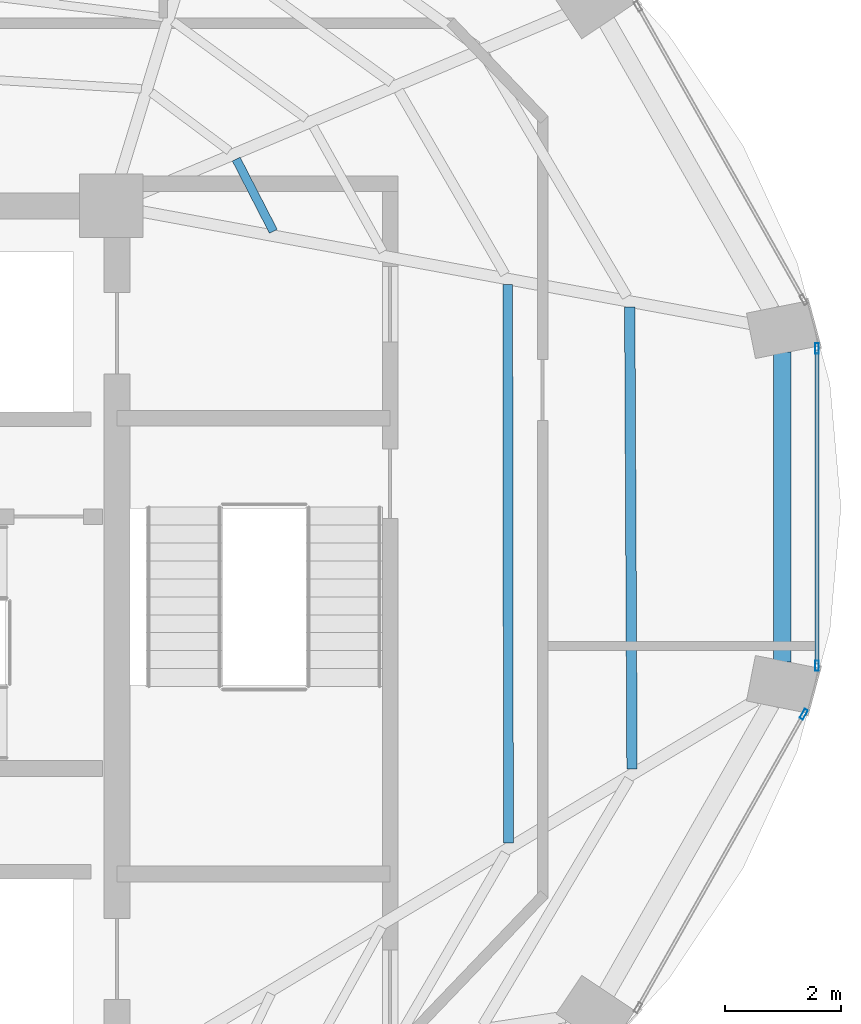
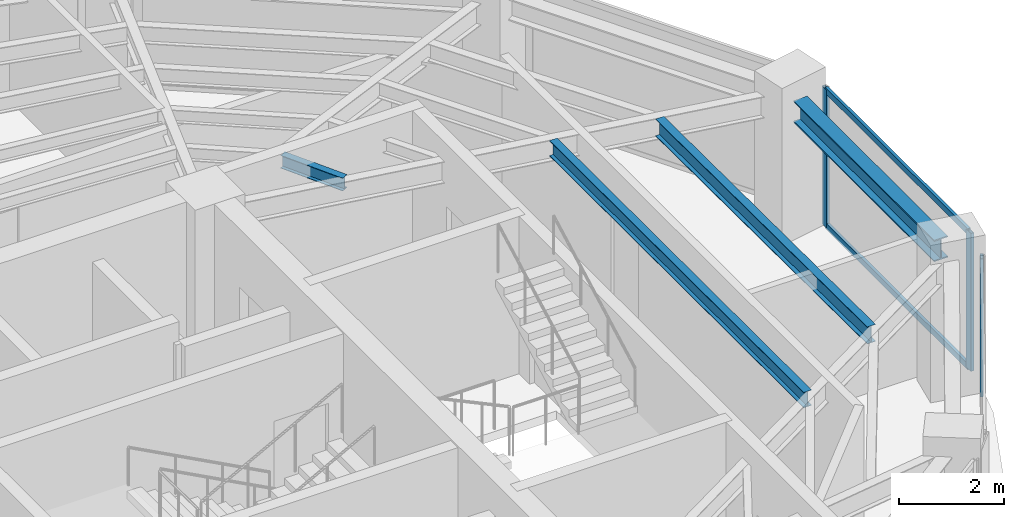
# One storey, part 14 of 22: 5 members, 4 beams, 2 elements without a shape of their own.
"""IFC4 building model written with IfcOpenShell, lengths in metres."""

from ifc_helpers import new_model, si_unit, direction, frame, origin, origin_2d, place, context, subcontext, project, spatial, hollow_rectangle, i_section, extrude, material, layer, layer_set, material_profile, profile_set, type_object, element, aggregate, save


model = new_model("IFC4")

# Units and contexts
model_context = context("Model", 3, precision=1e-05, world=origin(), true_north=direction((0.0, 1.0)))
body_context = subcontext(model_context, "Body", "Model", "MODEL_VIEW")
ifc_project = project(units=[si_unit("LENGTHUNIT", "METRE"), si_unit("AREAUNIT", "SQUARE_METRE"), si_unit("VOLUMEUNIT", "CUBIC_METRE"), si_unit("PLANEANGLEUNIT", "RADIAN"), si_unit("MASSUNIT", "GRAM", prefix="KILO")], contexts=[model_context])

# Site, building, storey
site_placement = place(None, origin())
site = spatial("IfcSite", under=ifc_project, at=site_placement, CompositionType="ELEMENT")
building_placement = place(site_placement, origin())
building = spatial("IfcBuilding", under=site, at=building_placement, Name="Lazwardi Medical Tower", CompositionType="ELEMENT")
storey_placement = place(building_placement, frame((0.0, 0.0, 242.256103515625)))
storey = spatial("IfcBuildingStorey", under=building, at=storey_placement, Name="L63", CompositionType="ELEMENT", Elevation=242.256103515625)

# Beams
ifc_material_1 = material(Name="Steel S355", Category="steel")
ifc_material_profile_1 = material_profile(ifc_material_1, i_section(OverallWidth=0.300048828125, OverallDepth=0.5, WebThickness=0.014404296875, FlangeThickness=0.028076171875, at=origin_2d()), Name="HEB 500")
ifc_profile_set_1 = profile_set([ifc_material_profile_1], Name="Steel S355")
beam_type_1 = type_object("IfcBeamType", Name="BM-RB-Z4", PredefinedType="BEAM", material=ifc_profile_set_1)
beam_1_placement = place(storey_placement, frame((57.18505859375, 27.72705078125, 2.947998046875), z_axis=(0.0, 1.0, 0.0), x_axis=(-1.0, 0.0, 0.0)))
element("IfcBeam", 1, at=beam_1_placement, inside=storey, type_object=beam_type_1, Name="Ring beam RB-05 B04 L63", PredefinedType="BEAM", context=body_context, shape_type="SweptSolid", body=[
    extrude(i_section(OverallWidth=0.300048828125, OverallDepth=0.5, WebThickness=0.014404296875, FlangeThickness=0.028076171875, at=origin_2d()), origin(), (0.0, 0.0, 1.0), 5.345947265625),
])
ifc_material_profile_2 = material_profile(ifc_material_1, i_section(OverallWidth=0.179931640625, OverallDepth=0.39990234375, WebThickness=0.008544921875, FlangeThickness=0.013427734375, at=origin_2d()), Name="IPE 400")
ifc_profile_set_2 = profile_set([ifc_material_profile_2], Name="Steel S355")
beam_type_2 = type_object("IfcBeamType", Name="BM-SJ-01", PredefinedType="JOIST", material=ifc_profile_set_2)
beam_2_placement = place(storey_placement, frame((54.592041015625, 25.879638671875, 2.997802734375), z_axis=(-0.004929366644, 0.999987850598, 0.0), x_axis=(-0.999987850598, -0.004929366644, 0.0)))
element("IfcBeam", 2, at=beam_2_placement, inside=storey, type_object=beam_type_2, Name="Secondary joist SJ-01 R1 B04 L63", PredefinedType="JOIST", context=body_context, shape_type="SweptSolid", body=[
    extrude(i_section(OverallWidth=0.179931640625, OverallDepth=0.39990234375, WebThickness=0.008544921875, FlangeThickness=0.013427734375, at=origin_2d()), origin(), (0.0, 0.0, 1.0), 7.973876953125),
])
ifc_material_profile_3 = material_profile(ifc_material_1, i_section(OverallWidth=0.169921875, OverallDepth=0.360107421875, WebThickness=0.008056640625, FlangeThickness=0.0126953125, at=origin_2d()), Name="IPE 360")
ifc_profile_set_3 = profile_set([ifc_material_profile_3], Name="Steel S355")
beam_type_3 = type_object("IfcBeamType", Name="BM-SJ-02", PredefinedType="JOIST", material=ifc_profile_set_3)
beam_3_placement = place(storey_placement, frame((52.458984375, 24.602294921875, 3.017822265625), z_axis=(-0.001367606673, 0.999999064826, 0.0), x_axis=(-0.999999064826, -0.001367606673, 0.0)))
element("IfcBeam", 3, at=beam_3_placement, inside=storey, type_object=beam_type_3, Name="Secondary joist SJ-02 R2 B04 L63", PredefinedType="JOIST", context=body_context, shape_type="SweptSolid", body=[
    extrude(i_section(OverallWidth=0.169921875, OverallDepth=0.360107421875, WebThickness=0.008056640625, FlangeThickness=0.0126953125, at=origin_2d()), origin(), (0.0, 0.0, 1.0), 9.639892578125),
])
ifc_material_profile_4 = material_profile(ifc_material_1, i_section(OverallWidth=0.14990234375, OverallDepth=0.300048828125, WebThickness=0.007080078125, FlangeThickness=0.0107421875, at=origin_2d()), Name="IPE 300")
ifc_profile_set_4 = profile_set([ifc_material_profile_4], Name="Steel S355")
beam_type_4 = type_object("IfcBeamType", Name="BM-SJ-03", PredefinedType="JOIST", material=ifc_profile_set_4)
beam_4_placement = place(storey_placement, frame((48.39990234375, 35.159912109375, 3.0478515625), z_axis=(-0.457285056668, 0.889320176848, 0.0), x_axis=(-0.889320176848, -0.457285056668, 0.0)))
element("IfcBeam", 4, at=beam_4_placement, inside=storey, type_object=beam_type_4, Name="Secondary joist SJ-03 R4 B05 L63", PredefinedType="JOIST", context=body_context, shape_type="SweptSolid", body=[
    extrude(i_section(OverallWidth=0.14990234375, OverallDepth=0.300048828125, WebThickness=0.007080078125, FlangeThickness=0.0107421875, at=origin_2d()), origin(), (0.0, 0.0, 1.0), 1.402099609375),
])

# Curtain wall, member
ifc_material_2 = material(Name="Anodised bronze aluminium and solar control glazing", Category="aluminium")
ifc_layer = layer(ifc_material_2, 0.18994140625)
ifc_layer_set = layer_set([ifc_layer], Name="Anodised bronze aluminium and solar control glazing")
curtain_wall_type = type_object("IfcCurtainWallType", Name="CW-SYS-04", PredefinedType="NOTDEFINED", material=ifc_layer_set)
curtain_wall_1_placement = place(storey_placement, origin())
curtain_wall_1 = element("IfcCurtainWall", 5, at=curtain_wall_1_placement, inside=storey, type_object=curtain_wall_type, Name="L63 Unitised bronze curtain wall CW-04", PredefinedType="NOTDEFINED")
ifc_material_3 = material(Name="Anodised bronze aluminium", Category="aluminium")
ifc_material_profile_5 = material_profile(ifc_material_3, hollow_rectangle(XDim=0.06494140625, YDim=0.179931640625, WallThickness=0.00390625, at=origin_2d()), Name="ALU-MULLION 180x65x4")
ifc_profile_set_5 = profile_set([ifc_material_profile_5], Name="Anodised bronze aluminium")
member_type_1 = type_object("IfcMemberType", Name="CW-MUL-03", PredefinedType="MULLION", material=ifc_profile_set_5)
member_1_placement = place(storey_placement, frame((57.557373046875, 26.82177734375, 0.0), z_axis=(0.0, 0.0, 1.0), x_axis=(-0.870651436011, 0.491900474661, 0.0)))
member_1 = element("IfcMember", 6, at=member_1_placement, type_object=member_type_1, Name="CW-04 mullion 2", PredefinedType="MULLION", context=body_context, shape_type="SweptSolid", body=[
    extrude(hollow_rectangle(XDim=0.06494140625, YDim=0.179931640625, WallThickness=0.00390625, at=origin_2d()), origin(), (0.0, 0.0, 1.0), 3.197998046875),
])
aggregate(curtain_wall_1, [member_1])

# Curtain wall, members
curtain_wall_2_placement = place(storey_placement, origin())
curtain_wall_2 = element("IfcCurtainWall", 7, at=curtain_wall_2_placement, inside=storey, type_object=curtain_wall_type, Name="L63 Unitised bronze curtain wall CW-04", PredefinedType="NOTDEFINED")
member_2_placement = place(storey_placement, frame((57.7841796875, 27.659423828125, 0.0), z_axis=(0.0, 0.0, 1.0), x_axis=(-1.0, 0.0, 0.0)))
member_2 = element("IfcMember", 8, at=member_2_placement, type_object=member_type_1, Name="CW-04 mullion 1", PredefinedType="MULLION", context=body_context, shape_type="SweptSolid", body=[
    extrude(hollow_rectangle(XDim=0.06494140625, YDim=0.179931640625, WallThickness=0.00390625, at=origin_2d()), origin(), (0.0, 0.0, 1.0), 3.197998046875),
])
member_3_placement = place(storey_placement, frame((57.7841796875, 33.140380859375, 0.0), z_axis=(0.0, 0.0, 1.0), x_axis=(-1.0, 0.0, 0.0)))
member_3 = element("IfcMember", 9, at=member_3_placement, type_object=member_type_1, Name="CW-04 mullion 2", PredefinedType="MULLION", context=body_context, shape_type="SweptSolid", body=[
    extrude(hollow_rectangle(XDim=0.06494140625, YDim=0.179931640625, WallThickness=0.00390625, at=origin_2d()), origin(), (0.0, 0.0, 1.0), 3.197998046875),
])
ifc_material_profile_6 = material_profile(ifc_material_3, hollow_rectangle(XDim=0.06494140625, YDim=0.139892578125, WallThickness=0.00341796875, at=origin_2d()), Name="ALU-TRANSOM 140x65x3.5")
ifc_profile_set_6 = profile_set([ifc_material_profile_6], Name="Anodised bronze aluminium")
member_type_2 = type_object("IfcMemberType", Name="CW-TRN-03", PredefinedType="USERDEFINED", material=ifc_profile_set_6)
member_4_placement = place(storey_placement, frame((57.7841796875, 27.69189453125, 0.032470703125), z_axis=(0.0, 1.0, 0.0), x_axis=(-1.0, 0.0, 0.0)))
member_4 = element("IfcMember", 10, at=member_4_placement, type_object=member_type_2, Name="CW-04 transom 1.1", ObjectType="TRANSOM", PredefinedType="USERDEFINED", context=body_context, shape_type="SweptSolid", body=[
    extrude(hollow_rectangle(XDim=0.06494140625, YDim=0.139892578125, WallThickness=0.00341796875, at=origin_2d()), origin(), (0.0, 0.0, 1.0), 5.416015625),
])
member_5_placement = place(storey_placement, frame((57.7841796875, 27.69189453125, 3.165283203125), z_axis=(0.0, 1.0, 0.0), x_axis=(-1.0, 0.0, 0.0)))
member_5 = element("IfcMember", 11, at=member_5_placement, type_object=member_type_2, Name="CW-04 transom 1.2", ObjectType="TRANSOM", PredefinedType="USERDEFINED", context=body_context, shape_type="SweptSolid", body=[
    extrude(hollow_rectangle(XDim=0.06494140625, YDim=0.139892578125, WallThickness=0.00341796875, at=origin_2d()), origin(), (0.0, 0.0, 1.0), 5.416015625),
])
aggregate(curtain_wall_2, [member_2, member_3, member_4, member_5])

save(model, "model.ifc")
